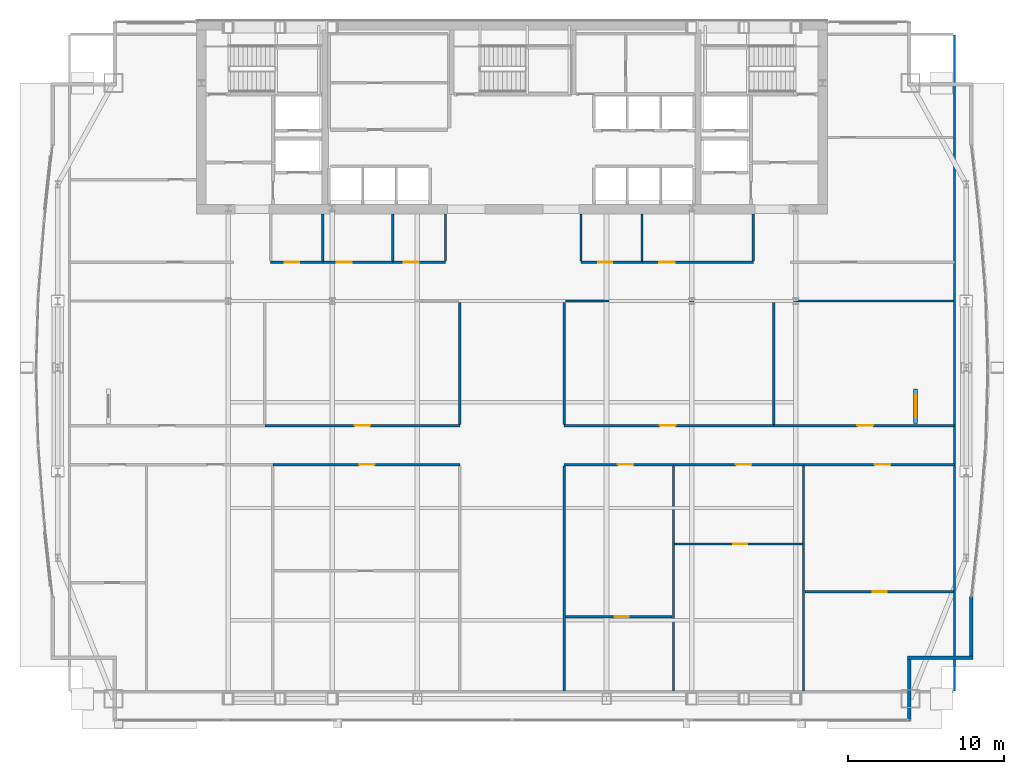
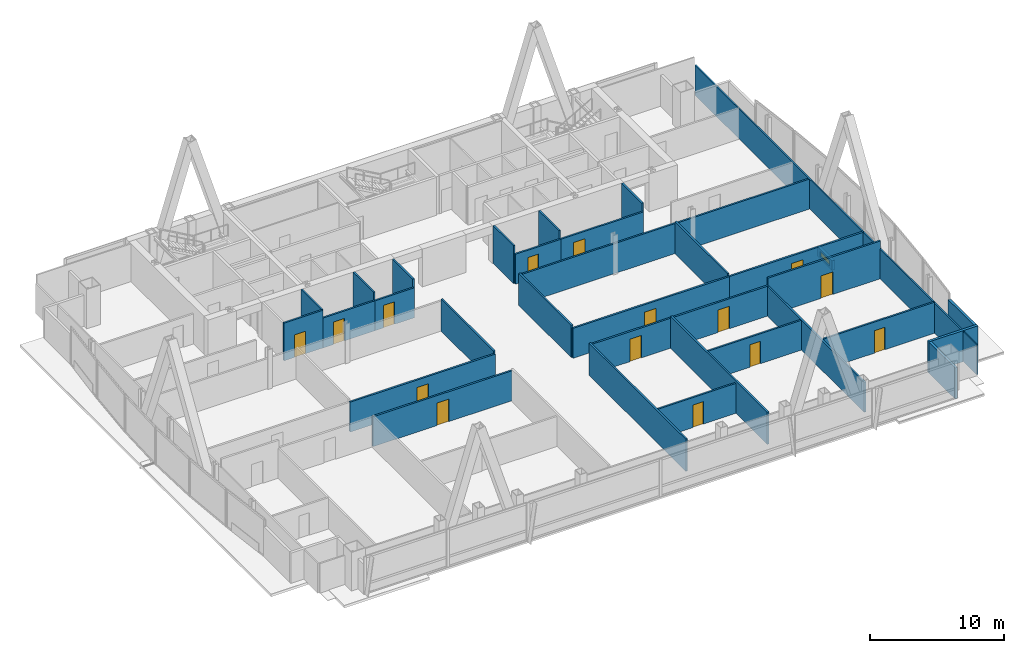
# One storey, part 27 of 32: 33 walls, 15 doors, 1 window, 16 openings.
"""IFC4 building model written with IfcOpenShell, lengths in metres."""

import ifcopenshell
import ifcopenshell.guid

model = None  # the IFC model being written
_history = None  # IfcOwnerHistory: only IFC2X3 demands one
_inside = {}  # id of a spatial element -> (the spatial element, [elements in it])
_under = {}  # id of a project, library or spatial element -> (it, [spatial elements below it])
_declared = {}  # id of a project -> (the project, [libraries it declares])
_typed = {}  # id of a type object -> (the type object, [elements of that type])
_made_of = {}  # id of a material, layer set ... -> (it, [elements and type objects made of it])


def new_model(schema):
    """Start an empty IFC model of exactly this schema.

    Asked for "IFC4X3", IfcOpenShell would pick the latest addendum, in which some entities
    have other attributes; the version numbers below select the first issue.
    IFC2X3 requires an IfcOwnerHistory on every rooted entity: one is made here for all.
    """
    global model, _history
    if schema == "IFC4X3":
        model = ifcopenshell.file(schema_version=(4, 3, 0, 0))
    else:
        model = ifcopenshell.file(schema=schema)
    _inside.clear()
    _under.clear()
    _declared.clear()
    _typed.clear()
    _made_of.clear()
    _history = None
    if model.schema == "IFC2X3":
        org = make("IfcOrganization", Name="unknown")
        user = make(
            "IfcPersonAndOrganization",
            ThePerson=make("IfcPerson", FamilyName="unknown"),
            TheOrganization=org,
        )
        app = make(
            "IfcApplication",
            ApplicationDeveloper=org,
            Version="unknown",
            ApplicationFullName="unknown",
            ApplicationIdentifier="unknown",
        )
        _history = make(
            "IfcOwnerHistory",
            OwningUser=user,
            OwningApplication=app,
            ChangeAction="ADDED",
            CreationDate=0,
        )
    return model


def make(cls, **values):
    """One entity of the class cls with the attributes given. An attribute that is None is left unset."""
    return model.create_entity(
        cls, **{name: value for name, value in values.items() if value is not None}
    )


def rooted(cls, **values):
    """An entity with a GlobalId (a new one), such as an element, a storey or a relation."""
    return make(cls, GlobalId=ifcopenshell.guid.new(), OwnerHistory=_history, **values)


def si_unit(unit_type, name, prefix=None):
    """IfcSIUnit, for example si_unit("LENGTHUNIT", "METRE", prefix="MILLI")."""
    return make("IfcSIUnit", UnitType=unit_type, Prefix=prefix, Name=name)


def assignment(units):
    """IfcUnitAssignment: the units of a project."""
    return None if units is None else make("IfcUnitAssignment", Units=units)


def point(xyz):
    """IfcCartesianPoint."""
    return None if xyz is None else make("IfcCartesianPoint", Coordinates=xyz)


def direction(xyz):
    """IfcDirection."""
    return None if xyz is None else make("IfcDirection", DirectionRatios=xyz)


def frame(location, z_axis=None, x_axis=None):
    """IfcAxis2Placement3D, a coordinate frame: its origin and axes. An axis left out is left unset."""
    return make(
        "IfcAxis2Placement3D",
        Location=point(location),
        Axis=direction(z_axis),
        RefDirection=direction(x_axis),
    )


def frame_2d(location, x_axis=None):
    """IfcAxis2Placement2D, a coordinate frame in the plane: its origin and x axis."""
    return make(
        "IfcAxis2Placement2D", Location=point(location), RefDirection=direction(x_axis)
    )


def origin():
    """The frame at (0, 0, 0) with its axes left unset."""
    return frame((0.0, 0.0, 0.0))


def place(relative_to, where):
    """IfcLocalPlacement: puts the frame where relative to a parent placement (None: the world)."""
    return make(
        "IfcLocalPlacement", PlacementRelTo=relative_to, RelativePlacement=where
    )


def context(
    kind, dimensions, precision=None, world=None, true_north=None, identifier=None
):
    """IfcGeometricRepresentationContext, for example the 3D "Model" context."""
    return make(
        "IfcGeometricRepresentationContext",
        ContextIdentifier=identifier,
        ContextType=kind,
        CoordinateSpaceDimension=dimensions,
        Precision=precision,
        WorldCoordinateSystem=world,
        TrueNorth=true_north,
    )


def subcontext(parent, identifier, kind, view, scale=None):
    """IfcGeometricRepresentationSubContext, for example "Body" below "Model"."""
    return make(
        "IfcGeometricRepresentationSubContext",
        ContextIdentifier=identifier,
        ContextType=kind,
        ParentContext=parent,
        TargetScale=scale,
        TargetView=view,
    )


def project(units=None, contexts=None):
    """IfcProject with its units and contexts."""
    return rooted(
        "IfcProject",
        Name="project",
        RepresentationContexts=contexts,
        UnitsInContext=assignment(units),
    )


def spatial(cls, under=None, at=None, **own):
    """A site, building, storey or space (cls), placed at a placement, below another one or the project."""
    s = rooted(cls, ObjectPlacement=at, **own)
    if under is not None:
        _under.setdefault(under.id(), (under, []))[1].append(s)
    return s


def profile(cls, at=None, kind="AREA", **sizes):
    """A parametric profile (cls). Its sizes go by their IFC names, for example OverallWidth=200.0."""
    return make(cls, ProfileType=kind, Position=at, **sizes)


def rectangle(**sizes):
    """IfcRectangleProfileDef."""
    return profile("IfcRectangleProfileDef", **sizes)


def extrude(swept, where, along, depth):
    """IfcExtrudedAreaSolid: the profile swept, set in the frame where, extruded along a direction by depth."""
    return make(
        "IfcExtrudedAreaSolid",
        SweptArea=swept,
        Position=where,
        ExtrudedDirection=direction(along),
        Depth=depth,
    )


def shape(context_of_items, identifier, shape_type, items):
    """IfcShapeRepresentation: the items that make up one representation, for example the "Body"."""
    return make(
        "IfcShapeRepresentation",
        ContextOfItems=context_of_items,
        RepresentationIdentifier=identifier,
        RepresentationType=shape_type,
        Items=items,
    )


def material(Name=None, Category=None):
    """IfcMaterial."""
    return make("IfcMaterial", Name=Name, Category=Category)


def layer(
    of_material, thickness, ventilated=None, Name=None, Category=None, Priority=None
):
    """IfcMaterialLayer: one layer of a wall or slab, of a material (None: an air gap)."""
    return make(
        "IfcMaterialLayer",
        Material=of_material,
        LayerThickness=thickness,
        IsVentilated=ventilated,
        Name=Name,
        Category=Category,
        Priority=Priority,
    )


def layer_set(layers, Name=None):
    """IfcMaterialLayerSet."""
    return make("IfcMaterialLayerSet", MaterialLayers=layers, LayerSetName=Name)


def made_of(thing, what):
    """Note that an element or type object is made of a material, layer set ...; save() writes the relation."""
    if what is not None:
        _made_of.setdefault(what.id(), (what, []))[1].append(thing)
    return thing


def type_object(cls, material=None, **own):
    """A type object (cls), such as IfcWallType, which elements share."""
    return made_of(rooted(cls, **own), material)


def element(
    cls,
    number,
    at=None,
    inside=None,
    cuts=None,
    type_object=None,
    material=None,
    context=None,
    identifier="Body",
    shape_type=None,
    held_by="IfcProductDefinitionShape",
    body=None,
    shapes=None,
    **own,
):
    """One element of the class cls, such as IfcWall. Its Tag is "e" and its number.

    at: its placement. inside: the storey or other place that contains it. cuts: it is an
    opening in that element (IfcRelVoidsElement). A single representation is given by context,
    identifier, shape_type and body (its items); several are given by shapes. held_by: the class
    of the entity that holds the representations. save() writes the other relations.
    """
    e = rooted(cls, Tag="e%d" % number, ObjectPlacement=at, **own)
    if body is not None:
        shapes = [shape(context, identifier, shape_type, body)]
    if shapes is not None:
        e.Representation = make(held_by, Representations=shapes)
    if inside is not None:
        _inside.setdefault(inside.id(), (inside, []))[1].append(e)
    if cuts is not None:
        rooted(
            "IfcRelVoidsElement", RelatingBuildingElement=cuts, RelatedOpeningElement=e
        )
    if type_object is not None:
        _typed.setdefault(type_object.id(), (type_object, []))[1].append(e)
    return made_of(e, material)


def fill(opening, filler):
    """IfcRelFillsElement: the door or window that sits in an opening."""
    return rooted(
        "IfcRelFillsElement",
        RelatingOpeningElement=opening,
        RelatedBuildingElement=filler,
    )


def aggregate(whole, parts):
    """IfcRelAggregates: a whole, such as a stair, and the parts it consists of."""
    return rooted("IfcRelAggregates", RelatingObject=whole, RelatedObjects=parts)


def save(model, path):
    """Write the relations noted so far, then the file.

    IfcRelAggregates (storeys below a building ...), IfcRelContainedInSpatialStructure (elements
    in a storey), IfcRelDefinesByType, IfcRelAssociatesMaterial and IfcRelDeclares: one each for
    every whole, place, type object, material and project.
    """
    for whole, parts in _under.values():
        aggregate(whole, parts)
    for where, things in _inside.values():
        rooted(
            "IfcRelContainedInSpatialStructure",
            RelatedElements=things,
            RelatingStructure=where,
        )
    for kind, things in _typed.values():
        rooted("IfcRelDefinesByType", RelatedObjects=things, RelatingType=kind)
    for what, things in _made_of.values():
        rooted("IfcRelAssociatesMaterial", RelatedObjects=things, RelatingMaterial=what)
    for by, libraries in _declared.values():
        rooted("IfcRelDeclares", RelatingContext=by, RelatedDefinitions=libraries)
    model.write(path)


model = new_model("IFC4")

# Units and contexts
model_context = context("Model", 3, precision=1e-05, world=origin(), true_north=direction((0.0, 1.0)))
body_context = subcontext(model_context, "Body", "Model", "MODEL_VIEW")
ifc_project = project(units=[si_unit("LENGTHUNIT", "METRE"), si_unit("AREAUNIT", "SQUARE_METRE"), si_unit("VOLUMEUNIT", "CUBIC_METRE"), si_unit("PLANEANGLEUNIT", "RADIAN"), si_unit("MASSUNIT", "GRAM", prefix="KILO")], contexts=[model_context])

# Site, building, storey
site_placement = place(None, origin())
site = spatial("IfcSite", under=ifc_project, at=site_placement, CompositionType="ELEMENT")
building_placement = place(site_placement, origin())
building = spatial("IfcBuilding", under=site, at=building_placement, Name="Khoronbel Lancet Exchange", CompositionType="ELEMENT")
storey_placement = place(building_placement, frame((0.0, 0.0, 188.60009765625)))
storey = spatial("IfcBuildingStorey", under=building, at=storey_placement, Name="L47", CompositionType="ELEMENT", Elevation=188.60009765625)

# Walls
ifc_material_1 = material(Name="Precast concrete C40/50", Category="concrete")
ifc_layer_1 = layer(ifc_material_1, 0.25, Name="Precast concrete C40/50")
ifc_layer_set_1 = layer_set([ifc_layer_1], Name="Precast concrete C40/50")
wall_type_1 = type_object("IfcWallType", Name="WL-EXT250", PredefinedType="SOLIDWALL", material=ifc_layer_set_1)
wall_1_placement = place(storey_placement, frame((65.9599609375, 16.724853515625, 0.0), z_axis=(0.0, 0.0, 1.0), x_axis=(0.0, -1.0, 0.0)))
element("IfcWall", 1, at=wall_1_placement, inside=storey, type_object=wall_type_1, Name="Level L47 notched-corner limestone pier 23", PredefinedType="SOLIDWALL", context=body_context, shape_type="SweptSolid", body=[
    extrude(rectangle(XDim=3.824951171875, YDim=0.219970703125, at=frame_2d((1.91259765625, 0.0))), origin(), (0.0, 0.0, 1.0), 2.829833984375),
])
wall_2_placement = place(storey_placement, frame((66.070068359375, 12.7900390625, 0.0), z_axis=(0.0, 0.0, 1.0), x_axis=(-1.0, 0.0, 0.0)))
element("IfcWall", 2, at=wall_2_placement, inside=storey, type_object=wall_type_1, Name="Level L47 notched-corner limestone pier 24", PredefinedType="SOLIDWALL", context=body_context, shape_type="SweptSolid", body=[
    extrude(rectangle(XDim=4.219970703125, YDim=0.219970703125, at=frame_2d((2.10986328125, 0.0))), origin(), (0.0, 0.0, 1.0), 2.829833984375),
])
wall_3_placement = place(storey_placement, frame((61.9599609375, 12.679931640625, 0.0), z_axis=(0.0, 0.0, 1.0), x_axis=(0.0, -1.0, 0.0)))
element("IfcWall", 3, at=wall_3_placement, inside=storey, type_object=wall_type_1, Name="Level L47 notched-corner limestone pier 25", PredefinedType="SOLIDWALL", context=body_context, shape_type="SweptSolid", body=[
    extrude(rectangle(XDim=3.909912109375, YDim=0.219970703125, at=frame_2d((1.955078125, 0.0))), origin(), (0.0, 0.0, 1.0), 2.829833984375),
])

# Wall, opening, window
ifc_material_2 = material(Name="Concrete C40/50", Category="concrete")
ifc_layer_2 = layer(ifc_material_2, 0.25, Name="Concrete C40/50")
ifc_layer_set_2 = layer_set([ifc_layer_2], Name="Concrete C40/50")
wall_type_2 = type_object("IfcWallType", Name="WL-PAR250", PredefinedType="PARAPET", material=ifc_layer_set_2)
wall_4_placement = place(storey_placement, frame((62.375, 27.85009765625, 0.0), z_axis=(0.0, 0.0, 1.0), x_axis=(0.0, 1.0, 0.0)))
wall_4 = element("IfcWall", 4, at=wall_4_placement, inside=storey, type_object=wall_type_2, Name="Level L47 setback roof slab 2 smoke-ventilation skylight lantern curb", PredefinedType="PARAPET", context=body_context, shape_type="SweptSolid", body=[
    extrude(rectangle(XDim=2.199951171875, YDim=0.25, at=frame_2d((1.10009765625, 0.0))), origin(), (0.0, 0.0, 1.0), 0.8798828125),
])
opening_1_placement = place(wall_4_placement, frame((0.39990234375, 0.0, 0.159912109375)))
opening_1 = element("IfcOpeningElement", 5, at=opening_1_placement, cuts=wall_4, Name="Opening SK2", PredefinedType="OPENING", context=body_context, shape_type="SweptSolid", body=[
    extrude(rectangle(XDim=1.39990234375, YDim=0.5, at=frame_2d((0.699951171875, 0.25))), frame((0.0, 0.135009765625, 0.0), z_axis=(0.0, -1.0, 0.0), x_axis=(1.0, 0.0, 0.0)), (0.0, 0.0, 1.0), 0.27001953125),
])
ifc_material_3 = material(Name="Low-E Solar Control Insulating Glass", Category="glass")
window_type = type_object("IfcWindowType", Name="WIN-SK2", PartitioningType="SINGLE_PANEL", PredefinedType="SKYLIGHT", material=ifc_material_3)
window_placement = place(opening_1_placement, origin())
window = element("IfcWindow", 6, at=window_placement, inside=storey, type_object=window_type, Name="Level L47 setback roof slab 2 smoke-ventilation clerestory skylight", OverallHeight=0.5, OverallWidth=1.39990234375, PartitioningType="SINGLE_PANEL", PredefinedType="SKYLIGHT", context=body_context, shape_type="SweptSolid", body=[
    extrude(rectangle(XDim=1.39990234375, YDim=0.5, at=frame_2d((0.699951171875, 0.25))), frame((0.0, 0.030029296875, 0.0), z_axis=(0.0, -1.0, 0.0), x_axis=(1.0, 0.0, 0.0)), (0.0, 0.0, 1.0), 0.06005859375),
])
fill(opening_1, window)

# Walls
ifc_material_4 = material(Name="Acoustic Metal-Stud & Mineral-Wool Gypsum Partition 120 mm", Category="gypsum")
ifc_layer_3 = layer(ifc_material_4, 0.1201171875, Name="Acoustic Metal-Stud & Mineral-Wool Gypsum Partition 120 mm")
ifc_layer_set_3 = layer_set([ifc_layer_3], Name="Acoustic Metal-Stud & Mineral-Wool Gypsum Partition 120 mm")
wall_type_3 = type_object("IfcWallType", Name="WL-PRT120", PredefinedType="PARTITIONING", material=ifc_layer_set_3)
for number, where, z_axis, x_axis, name in (
    (7, (24.300048828125, 38.280029296875, 0.0), (0.0, 0.0, 1.0), (0.0, 1.0, 0.0), "Level L47 interior partition PW-WC-1"),
    (8, (28.800048828125, 38.280029296875, 0.0), (0.0, 0.0, 1.0), (0.0, 1.0, 0.0), "Level L47 interior partition PW-WC-2"),
    (9, (32.179931640625, 38.280029296875, 0.0), (0.0, 0.0, 1.0), (0.0, 1.0, 0.0), "Level L47 interior partition PW-WC-3"),
    (10, (40.8798828125, 38.280029296875, 0.0), (0.0, 0.0, 1.0), (0.0, 1.0, 0.0), "Level L47 interior partition PW-NP-0"),
    (11, (44.800048828125, 38.280029296875, 0.0), (0.0, 0.0, 1.0), (0.0, 1.0, 0.0), "Level L47 interior partition PW-NP-M"),
    (12, (51.949951171875, 38.280029296875, 0.0), (0.0, 0.0, 1.0), (0.0, 1.0, 0.0), "Level L47 interior partition PW-NP-1"),
):
    element("IfcWall", number, at=place(storey_placement, frame(where, z_axis=z_axis, x_axis=x_axis)), inside=storey, type_object=wall_type_3, Name=name, PredefinedType="PARTITIONING", context=body_context, shape_type="SweptSolid", body=[
        extrude(rectangle(XDim=3.02001953125, YDim=0.14990234375, at=frame_2d((1.510009765625, 0.0))), origin(), (0.0, 0.0, 1.0), 3.43994140625),
    ])

# Wall, opening, door
wall_5_placement = place(storey_placement, frame((39.8798828125, 15.41796875, 0.0), z_axis=(0.0, 0.0, 1.0), x_axis=(1.0, 0.0, 0.0)))
wall_5 = element("IfcWall", 13, at=wall_5_placement, inside=storey, type_object=wall_type_3, Name="Level L47 interior partition PW-Z3SE-H1", PredefinedType="PARTITIONING", context=body_context, shape_type="SweptSolid", body=[
    extrude(rectangle(XDim=6.859619140625, YDim=0.14990234375, at=frame_2d((3.4296875, 0.0))), origin(), (0.0, 0.0, 1.0), 2.72998046875),
])
opening_2_placement = place(wall_5_placement, frame((3.15869140625, 0.0, 0.0)))
opening_2 = element("IfcOpeningElement", 14, at=opening_2_placement, cuts=wall_5, Name="Opening D5", PredefinedType="OPENING", context=body_context, shape_type="SweptSolid", body=[
    extrude(rectangle(XDim=0.89990234375, YDim=2.050048828125, at=frame_2d((0.449951171875, 1.02490234375))), frame((0.0, 0.0849609375, 0.0), z_axis=(0.0, -1.0, 0.0), x_axis=(1.0, 0.0, 0.0)), (0.0, 0.0, 1.0), 0.169921875),
])
ifc_material_5 = material(Name="Acoustic Timber Pantry & Support Door", Category="wood")
door_type_1 = type_object("IfcDoorType", Name="DR-D5", OperationType="NOTDEFINED", PredefinedType="DOOR", material=ifc_material_5)
door_1_placement = place(opening_2_placement, origin())
door_1 = element("IfcDoor", 15, at=door_1_placement, inside=storey, type_object=door_type_1, Name="Z3SE inner door 1 L47-1", OperationType="SINGLE_SWING_RIGHT", OverallHeight=2.050048828125, OverallWidth=0.89990234375, PredefinedType="DOOR", context=body_context, shape_type="SweptSolid", body=[
    extrude(rectangle(XDim=0.89990234375, YDim=2.050048828125, at=frame_2d((0.449951171875, 1.02490234375))), frame((0.0, 0.02490234375, 0.0), z_axis=(0.0, -1.0, 0.0), x_axis=(1.0, 0.0, 0.0)), (0.0, 0.0, 1.0), 0.050048828125),
])
fill(opening_2, door_1)

wall_6_placement = place(storey_placement, frame((46.899658203125, 20.090087890625, 0.0), z_axis=(0.0, 0.0, 1.0), x_axis=(1.0, 0.0, 0.0)))
wall_6 = element("IfcWall", 16, at=wall_6_placement, inside=storey, type_object=wall_type_3, Name="Level L47 interior partition PW-Z3SE-H2", PredefinedType="PARTITIONING", context=body_context, shape_type="SweptSolid", body=[
    extrude(rectangle(XDim=8.196533203125, YDim=0.14990234375, at=frame_2d((4.09814453125, 0.0))), origin(), (0.0, 0.0, 1.0), 2.72998046875),
])
opening_3_placement = place(wall_6_placement, frame((3.760498046875, 0.0, 0.0)))
opening_3 = element("IfcOpeningElement", 17, at=opening_3_placement, cuts=wall_6, Name="Opening D5", PredefinedType="OPENING", context=body_context, shape_type="SweptSolid", body=[
    extrude(rectangle(XDim=0.89990234375, YDim=2.050048828125, at=frame_2d((0.449951171875, 1.02490234375))), frame((0.0, 0.0849609375, 0.0), z_axis=(0.0, -1.0, 0.0), x_axis=(1.0, 0.0, 0.0)), (0.0, 0.0, 1.0), 0.169921875),
])
door_2_placement = place(opening_3_placement, origin())
door_2 = element("IfcDoor", 18, at=door_2_placement, inside=storey, type_object=door_type_1, Name="Z3SE inner door 2 L47-1", OperationType="SINGLE_SWING_RIGHT", OverallHeight=2.050048828125, OverallWidth=0.89990234375, PredefinedType="DOOR", context=body_context, shape_type="SweptSolid", body=[
    extrude(rectangle(XDim=0.89990234375, YDim=2.050048828125, at=frame_2d((0.449951171875, 1.02490234375))), frame((0.0, 0.02490234375, 0.0), z_axis=(0.0, -1.0, 0.0), x_axis=(1.0, 0.0, 0.0)), (0.0, 0.0, 1.0), 0.050048828125),
])
fill(opening_3, door_2)

wall_7_placement = place(storey_placement, frame((55.25634765625, 17.02392578125, 0.0), z_axis=(0.0, 0.0, 1.0), x_axis=(1.0, 0.0, 0.0)))
wall_7 = element("IfcWall", 19, at=wall_7_placement, inside=storey, type_object=wall_type_3, Name="Level L47 interior partition PW-Z3SE-H3", PredefinedType="PARTITIONING", context=body_context, shape_type="SweptSolid", body=[
    extrude(rectangle(XDim=9.548583984375, YDim=0.14990234375, at=frame_2d((4.7744140625, 0.0))), origin(), (0.0, 0.0, 1.0), 2.829833984375),
])
opening_4_placement = place(wall_7_placement, frame((4.3623046875, 0.0, 0.0)))
opening_4 = element("IfcOpeningElement", 20, at=opening_4_placement, cuts=wall_7, Name="Opening D5", PredefinedType="OPENING", context=body_context, shape_type="SweptSolid", body=[
    extrude(rectangle(XDim=0.89990234375, YDim=2.050048828125, at=frame_2d((0.449951171875, 1.02490234375))), frame((0.0, 0.0849609375, 0.0), z_axis=(0.0, -1.0, 0.0), x_axis=(1.0, 0.0, 0.0)), (0.0, 0.0, 1.0), 0.169921875),
])
door_3_placement = place(opening_4_placement, origin())
door_3 = element("IfcDoor", 21, at=door_3_placement, inside=storey, type_object=door_type_1, Name="Z3SE inner door 3 L47-1", OperationType="SINGLE_SWING_RIGHT", OverallHeight=2.050048828125, OverallWidth=0.89990234375, PredefinedType="DOOR", context=body_context, shape_type="SweptSolid", body=[
    extrude(rectangle(XDim=0.89990234375, YDim=2.050048828125, at=frame_2d((0.449951171875, 1.02490234375))), frame((0.0, 0.02490234375, 0.0), z_axis=(0.0, -1.0, 0.0), x_axis=(1.0, 0.0, 0.0)), (0.0, 0.0, 1.0), 0.050048828125),
])
fill(opening_4, door_3)

# Wall
wall_8_placement = place(storey_placement, frame((64.8701171875, 10.6650390625, 0.0), z_axis=(0.0, 0.0, 1.0), x_axis=(0.0, 1.0, 0.0)))
element("IfcWall", 22, at=wall_8_placement, inside=storey, type_object=wall_type_3, Name="Level L47 interior partition PW-LIN-E", PredefinedType="PARTITIONING", context=body_context, shape_type="SweptSolid", body=[
    extrude(rectangle(XDim=42.10986328125, YDim=0.1201171875, at=frame_2d((21.054931640625, 0.0))), origin(), (0.0, 0.0, 1.0), 2.72998046875),
])

# Wall, opening, door
ifc_material_6 = material(Name="Fire-Rated Twin-Stud Acoustic Gypsum Partition 150 mm", Category="gypsum")
ifc_layer_4 = layer(ifc_material_6, 0.14990234375, Name="Fire-Rated Twin-Stud Acoustic Gypsum Partition 150 mm")
ifc_layer_set_4 = layer_set([ifc_layer_4], Name="Fire-Rated Twin-Stud Acoustic Gypsum Partition 150 mm")
wall_type_4 = type_object("IfcWallType", Name="WL-PRT150C", PredefinedType="PARTITIONING", material=ifc_layer_set_4)
wall_9_placement = place(storey_placement, frame((20.949951171875, 38.199951171875, 0.0), z_axis=(0.0, 0.0, 1.0), x_axis=(1.0, 0.0, 0.0)))
wall_9 = element("IfcWall", 23, at=wall_9_placement, inside=storey, type_object=wall_type_4, Name="Level L47 interior partition PW-WC-S1", PredefinedType="PARTITIONING", context=body_context, shape_type="SweptSolid", body=[
    extrude(rectangle(XDim=3.35009765625, YDim=0.14990234375, at=frame_2d((1.675048828125, 0.0))), origin(), (0.0, 0.0, 1.0), 3.43994140625),
])
opening_5_placement = place(wall_9_placement, frame((0.89990234375, 0.0, 0.0)))
opening_5 = element("IfcOpeningElement", 24, at=opening_5_placement, cuts=wall_9, Name="Opening D4", PredefinedType="OPENING", context=body_context, shape_type="SweptSolid", body=[
    extrude(rectangle(XDim=0.949951171875, YDim=2.050048828125, at=frame_2d((0.47509765625, 1.02490234375))), frame((0.0, 0.0849609375, 0.0), z_axis=(0.0, -1.0, 0.0), x_axis=(1.0, 0.0, 0.0)), (0.0, 0.0, 1.0), 0.169921875),
])
ifc_material_7 = material(Name="Moisture-Resistant HPL Washroom Door", Category="wood")
door_type_2 = type_object("IfcDoorType", Name="DR-D4", OperationType="NOTDEFINED", PredefinedType="DOOR", material=ifc_material_7)
door_4_placement = place(opening_5_placement, origin())
door_4 = element("IfcDoor", 25, at=door_4_placement, inside=storey, type_object=door_type_2, Name="Male washroom door L47-1", OperationType="SINGLE_SWING_LEFT", OverallHeight=2.050048828125, OverallWidth=0.949951171875, PredefinedType="DOOR", context=body_context, shape_type="SweptSolid", body=[
    extrude(rectangle(XDim=0.949951171875, YDim=2.050048828125, at=frame_2d((0.47509765625, 1.02490234375))), frame((0.0, 0.02490234375, 0.0), z_axis=(0.0, -1.0, 0.0), x_axis=(1.0, 0.0, 0.0)), (0.0, 0.0, 1.0), 0.050048828125),
])
fill(opening_5, door_4)

wall_10_placement = place(storey_placement, frame((24.300048828125, 38.199951171875, 0.0), z_axis=(0.0, 0.0, 1.0), x_axis=(1.0, 0.0, 0.0)))
wall_10 = element("IfcWall", 26, at=wall_10_placement, inside=storey, type_object=wall_type_4, Name="Level L47 interior partition PW-WC-S2", PredefinedType="PARTITIONING", context=body_context, shape_type="SweptSolid", body=[
    extrude(rectangle(XDim=4.5, YDim=0.14990234375, at=frame_2d((2.25, 0.0))), origin(), (0.0, 0.0, 1.0), 2.72998046875),
])
opening_6_placement = place(wall_10_placement, frame((0.89990234375, 0.0, 0.0)))
opening_6 = element("IfcOpeningElement", 27, at=opening_6_placement, cuts=wall_10, Name="Opening D4", PredefinedType="OPENING", context=body_context, shape_type="SweptSolid", body=[
    extrude(rectangle(XDim=0.949951171875, YDim=2.050048828125, at=frame_2d((0.47509765625, 1.02490234375))), frame((0.0, 0.0849609375, 0.0), z_axis=(0.0, -1.0, 0.0), x_axis=(1.0, 0.0, 0.0)), (0.0, 0.0, 1.0), 0.169921875),
])
door_5_placement = place(opening_6_placement, origin())
door_5 = element("IfcDoor", 28, at=door_5_placement, inside=storey, type_object=door_type_2, Name="Female washroom door L47-1", OperationType="SINGLE_SWING_RIGHT", OverallHeight=2.050048828125, OverallWidth=0.949951171875, PredefinedType="DOOR", context=body_context, shape_type="SweptSolid", body=[
    extrude(rectangle(XDim=0.949951171875, YDim=2.050048828125, at=frame_2d((0.47509765625, 1.02490234375))), frame((0.0, 0.02490234375, 0.0), z_axis=(0.0, -1.0, 0.0), x_axis=(1.0, 0.0, 0.0)), (0.0, 0.0, 1.0), 0.050048828125),
])
fill(opening_6, door_5)

wall_11_placement = place(storey_placement, frame((28.800048828125, 38.199951171875, 0.0), z_axis=(0.0, 0.0, 1.0), x_axis=(1.0, 0.0, 0.0)))
wall_11 = element("IfcWall", 29, at=wall_11_placement, inside=storey, type_object=wall_type_4, Name="Level L47 interior partition PW-WC-S3", PredefinedType="PARTITIONING", context=body_context, shape_type="SweptSolid", body=[
    extrude(rectangle(XDim=3.3798828125, YDim=0.14990234375, at=frame_2d((1.68994140625, 0.0))), origin(), (0.0, 0.0, 1.0), 2.72998046875),
])
opening_7_placement = place(wall_11_placement, frame((0.699951171875, 0.0, 0.0)))
opening_7 = element("IfcOpeningElement", 30, at=opening_7_placement, cuts=wall_11, Name="Opening D4", PredefinedType="OPENING", context=body_context, shape_type="SweptSolid", body=[
    extrude(rectangle(XDim=0.949951171875, YDim=2.050048828125, at=frame_2d((0.47509765625, 1.02490234375))), frame((0.0, 0.0849609375, 0.0), z_axis=(0.0, -1.0, 0.0), x_axis=(1.0, 0.0, 0.0)), (0.0, 0.0, 1.0), 0.169921875),
])
door_6_placement = place(opening_7_placement, origin())
door_6 = element("IfcDoor", 31, at=door_6_placement, inside=storey, type_object=door_type_2, Name="Accessible WC door L47-1", OperationType="SINGLE_SWING_LEFT", OverallHeight=2.050048828125, OverallWidth=0.949951171875, PredefinedType="DOOR", context=body_context, shape_type="SweptSolid", body=[
    extrude(rectangle(XDim=0.949951171875, YDim=2.050048828125, at=frame_2d((0.47509765625, 1.02490234375))), frame((0.0, 0.02490234375, 0.0), z_axis=(0.0, -1.0, 0.0), x_axis=(1.0, 0.0, 0.0)), (0.0, 0.0, 1.0), 0.050048828125),
])
fill(opening_7, door_6)

wall_12_placement = place(storey_placement, frame((40.8798828125, 38.199951171875, 0.0), z_axis=(0.0, 0.0, 1.0), x_axis=(1.0, 0.0, 0.0)))
wall_12 = element("IfcWall", 32, at=wall_12_placement, inside=storey, type_object=wall_type_4, Name="Level L47 interior partition PW-NP-S1", PredefinedType="PARTITIONING", context=body_context, shape_type="SweptSolid", body=[
    extrude(rectangle(XDim=3.920166015625, YDim=0.14990234375, at=frame_2d((1.9599609375, 0.0))), origin(), (0.0, 0.0, 1.0), 2.72998046875),
])
opening_8_placement = place(wall_12_placement, frame((1.10009765625, 0.0, 0.0)))
opening_8 = element("IfcOpeningElement", 33, at=opening_8_placement, cuts=wall_12, Name="Opening D5", PredefinedType="OPENING", context=body_context, shape_type="SweptSolid", body=[
    extrude(rectangle(XDim=0.89990234375, YDim=2.050048828125, at=frame_2d((0.449951171875, 1.02490234375))), frame((0.0, 0.0849609375, 0.0), z_axis=(0.0, -1.0, 0.0), x_axis=(1.0, 0.0, 0.0)), (0.0, 0.0, 1.0), 0.169921875),
])
door_7_placement = place(opening_8_placement, origin())
door_7 = element("IfcDoor", 34, at=door_7_placement, inside=storey, type_object=door_type_1, Name="Floor refreshment pantry door L47-1", OperationType="SINGLE_SWING_RIGHT", OverallHeight=2.050048828125, OverallWidth=0.89990234375, PredefinedType="DOOR", context=body_context, shape_type="SweptSolid", body=[
    extrude(rectangle(XDim=0.89990234375, YDim=2.050048828125, at=frame_2d((0.449951171875, 1.02490234375))), frame((0.0, 0.02490234375, 0.0), z_axis=(0.0, -1.0, 0.0), x_axis=(1.0, 0.0, 0.0)), (0.0, 0.0, 1.0), 0.050048828125),
])
fill(opening_8, door_7)

wall_13_placement = place(storey_placement, frame((44.800048828125, 38.199951171875, 0.0), z_axis=(0.0, 0.0, 1.0), x_axis=(1.0, 0.0, 0.0)))
wall_13 = element("IfcWall", 35, at=wall_13_placement, inside=storey, type_object=wall_type_4, Name="Level L47 interior partition PW-NP-S2", PredefinedType="PARTITIONING", context=body_context, shape_type="SweptSolid", body=[
    extrude(rectangle(XDim=7.14990234375, YDim=0.14990234375, at=frame_2d((3.574951171875, 0.0))), origin(), (0.0, 0.0, 1.0), 2.72998046875),
])
opening_9_placement = place(wall_13_placement, frame((1.10009765625, 0.0, 0.0)))
opening_9 = element("IfcOpeningElement", 36, at=opening_9_placement, cuts=wall_13, Name="Opening D2", PredefinedType="OPENING", context=body_context, shape_type="SweptSolid", body=[
    extrude(rectangle(XDim=1.0, YDim=2.050048828125, at=frame_2d((0.5, 1.02490234375))), frame((0.0, 0.0849609375, 0.0), z_axis=(0.0, -1.0, 0.0), x_axis=(1.0, 0.0, 0.0)), (0.0, 0.0, 1.0), 0.169921875),
])
ifc_material_8 = material(Name="Acoustic Veneered Timber & Bronze Frame Door", Category="wood")
door_type_3 = type_object("IfcDoorType", Name="DR-D2", OperationType="NOTDEFINED", PredefinedType="DOOR", material=ifc_material_8)
door_8_placement = place(opening_9_placement, origin())
door_8 = element("IfcDoor", 37, at=door_8_placement, inside=storey, type_object=door_type_3, Name="Floor store door L47-1", OperationType="SINGLE_SWING_LEFT", OverallHeight=2.050048828125, OverallWidth=1.0, PredefinedType="DOOR", context=body_context, shape_type="SweptSolid", body=[
    extrude(rectangle(XDim=1.0, YDim=2.050048828125, at=frame_2d((0.5, 1.02490234375))), frame((0.0, 0.02490234375, 0.0), z_axis=(0.0, -1.0, 0.0), x_axis=(1.0, 0.0, 0.0)), (0.0, 0.0, 1.0), 0.050048828125),
])
fill(opening_9, door_8)

# Walls
wall_14_placement = place(storey_placement, frame((39.800048828125, 10.6650390625, 0.0), z_axis=(0.0, 0.0, 1.0), x_axis=(0.0, 1.0, 0.0)))
element("IfcWall", 38, at=wall_14_placement, inside=storey, type_object=wall_type_4, Name="Level L47 interior partition PW-Z3-CE1", PredefinedType="PARTITIONING", context=body_context, shape_type="SweptSolid", body=[
    extrude(rectangle(XDim=14.449951171875, YDim=0.14990234375, at=frame_2d((7.22509765625, 0.0))), origin(), (0.0, 0.0, 1.0), 2.929931640625),
])
for number, where, z_axis, x_axis, name in (
    (39, (33.10009765625, 27.784912109375, 0.0), (0.0, 0.0, 1.0), (0.0, 1.0, 0.0), "Level L47 interior partition PW-Z3-CW2"),
    (40, (39.800048828125, 27.784912109375, 0.0), (0.0, 0.0, 1.0), (0.0, 1.0, 0.0), "Level L47 interior partition PW-Z3-CE2"),
):
    element("IfcWall", number, at=place(storey_placement, frame(where, z_axis=z_axis, x_axis=x_axis)), inside=storey, type_object=wall_type_4, Name=name, PredefinedType="PARTITIONING", context=body_context, shape_type="SweptSolid", body=[
        extrude(rectangle(XDim=7.835205078125, YDim=0.14990234375, at=frame_2d((3.91748046875, 0.0))), origin(), (0.0, 0.0, 1.0), 2.929931640625),
    ])
wall_15_placement = place(storey_placement, frame((39.8798828125, 35.699951171875, 0.0), z_axis=(0.0, 0.0, 1.0), x_axis=(1.0, 0.0, 0.0)))
element("IfcWall", 41, at=wall_15_placement, inside=storey, type_object=wall_type_4, Name="Level L47 interior partition PW-Z3-EN", PredefinedType="PARTITIONING", context=body_context, shape_type="SweptSolid", body=[
    extrude(rectangle(XDim=24.925048828125, YDim=0.14990234375, at=frame_2d((12.46240234375, 0.0))), origin(), (0.0, 0.0, 1.0), 2.72998046875),
])
wall_16_placement = place(storey_placement, frame((46.819580078125, 10.6650390625, 0.0), z_axis=(0.0, 0.0, 1.0), x_axis=(0.0, 1.0, 0.0)))
element("IfcWall", 42, at=wall_16_placement, inside=storey, type_object=wall_type_4, Name="Level L47 interior partition PW-Z3SE-V1", PredefinedType="PARTITIONING", context=body_context, shape_type="SweptSolid", body=[
    extrude(rectangle(XDim=14.449951171875, YDim=0.14990234375, at=frame_2d((7.22509765625, 0.0))), origin(), (0.0, 0.0, 1.0), 2.929931640625),
])
wall_17_placement = place(storey_placement, frame((55.17626953125, 10.6650390625, 0.0), z_axis=(0.0, 0.0, 1.0), x_axis=(0.0, 1.0, 0.0)))
element("IfcWall", 43, at=wall_17_placement, inside=storey, type_object=wall_type_4, Name="Level L47 interior partition PW-Z3SE-V2", PredefinedType="PARTITIONING", context=body_context, shape_type="SweptSolid", body=[
    extrude(rectangle(XDim=14.449951171875, YDim=0.14990234375, at=frame_2d((7.22509765625, 0.0))), origin(), (0.0, 0.0, 1.0), 2.72998046875),
])
wall_18_placement = place(storey_placement, frame((53.263427734375, 27.784912109375, 0.0), z_axis=(0.0, 0.0, 1.0), x_axis=(0.0, 1.0, 0.0)))
element("IfcWall", 44, at=wall_18_placement, inside=storey, type_object=wall_type_4, Name="Level L47 interior partition PW-Z3NE-V1", PredefinedType="PARTITIONING", context=body_context, shape_type="SweptSolid", body=[
    extrude(rectangle(XDim=7.835205078125, YDim=0.14990234375, at=frame_2d((3.91748046875, 0.0))), origin(), (0.0, 0.0, 1.0), 2.929931640625),
])

# Wall, opening, door
ifc_material_9 = material(Name="Fire-Rated Twin-Stud Acoustic Gypsum Partition 160 mm", Category="gypsum")
ifc_layer_5 = layer(ifc_material_9, 0.159912109375, Name="Fire-Rated Twin-Stud Acoustic Gypsum Partition 160 mm")
ifc_layer_set_5 = layer_set([ifc_layer_5], Name="Fire-Rated Twin-Stud Acoustic Gypsum Partition 160 mm")
wall_type_5 = type_object("IfcWallType", Name="WL-PRT160C", PredefinedType="PARTITIONING", material=ifc_layer_set_5)
wall_19_placement = place(storey_placement, frame((21.08837890625, 25.199951171875, 0.0), z_axis=(0.0, 0.0, 1.0), x_axis=(1.0, 0.0, 0.0)))
wall_19 = element("IfcWall", 45, at=wall_19_placement, inside=storey, type_object=wall_type_5, Name="Level L47 interior partition PW-Z3SW-COR3", PredefinedType="PARTITIONING", context=body_context, shape_type="SweptSolid", body=[
    extrude(rectangle(XDim=12.01171875, YDim=0.159912109375, at=frame_2d((6.005859375, 0.0))), origin(), (0.0, 0.0, 1.0), 2.72998046875),
])
opening_10_placement = place(wall_19_placement, frame((5.544921875, 0.0, 0.0)))
opening_10 = element("IfcOpeningElement", 46, at=opening_10_placement, cuts=wall_19, Name="Opening D2", PredefinedType="OPENING", context=body_context, shape_type="SweptSolid", body=[
    extrude(rectangle(XDim=1.0, YDim=2.050048828125, at=frame_2d((0.5, 1.02490234375))), frame((0.0, 0.08984375, 0.0), z_axis=(0.0, -1.0, 0.0), x_axis=(1.0, 0.0, 0.0)), (0.0, 0.0, 1.0), 0.179931640625),
])
door_9_placement = place(opening_10_placement, origin())
door_9 = element("IfcDoor", 47, at=door_9_placement, inside=storey, type_object=door_type_3, Name="Z3SW bay 3 door L47-1", OperationType="SINGLE_SWING_LEFT", OverallHeight=2.050048828125, OverallWidth=1.0, PredefinedType="DOOR", context=body_context, shape_type="SweptSolid", body=[
    extrude(rectangle(XDim=1.0, YDim=2.050048828125, at=frame_2d((0.5, 1.02490234375))), frame((0.0, 0.02490234375, 0.0), z_axis=(0.0, -1.0, 0.0), x_axis=(1.0, 0.0, 0.0)), (0.0, 0.0, 1.0), 0.050048828125),
])
fill(opening_10, door_9)

wall_20_placement = place(storey_placement, frame((39.800048828125, 25.199951171875, 0.0), z_axis=(0.0, 0.0, 1.0), x_axis=(1.0, 0.0, 0.0)))
wall_20 = element("IfcWall", 48, at=wall_20_placement, inside=storey, type_object=wall_type_5, Name="Level L47 interior partition PW-Z3SE-COR1", PredefinedType="PARTITIONING", context=body_context, shape_type="SweptSolid", body=[
    extrude(rectangle(XDim=7.01953125, YDim=0.159912109375, at=frame_2d((3.509765625, 0.0))), origin(), (0.0, 0.0, 1.0), 2.72998046875),
])
opening_11_placement = place(wall_20_placement, frame((3.4482421875, 0.0, 0.0)))
opening_11 = element("IfcOpeningElement", 49, at=opening_11_placement, cuts=wall_20, Name="Opening D2", PredefinedType="OPENING", context=body_context, shape_type="SweptSolid", body=[
    extrude(rectangle(XDim=1.0, YDim=2.050048828125, at=frame_2d((0.5, 1.02490234375))), frame((0.0, 0.08984375, 0.0), z_axis=(0.0, -1.0, 0.0), x_axis=(1.0, 0.0, 0.0)), (0.0, 0.0, 1.0), 0.179931640625),
])
door_10_placement = place(opening_11_placement, origin())
door_10 = element("IfcDoor", 50, at=door_10_placement, inside=storey, type_object=door_type_3, Name="Z3SE bay 1 door L47-1", OperationType="SINGLE_SWING_LEFT", OverallHeight=2.050048828125, OverallWidth=1.0, PredefinedType="DOOR", context=body_context, shape_type="SweptSolid", body=[
    extrude(rectangle(XDim=1.0, YDim=2.050048828125, at=frame_2d((0.5, 1.02490234375))), frame((0.0, 0.02490234375, 0.0), z_axis=(0.0, -1.0, 0.0), x_axis=(1.0, 0.0, 0.0)), (0.0, 0.0, 1.0), 0.050048828125),
])
fill(opening_11, door_10)

wall_21_placement = place(storey_placement, frame((46.819580078125, 25.199951171875, 0.0), z_axis=(0.0, 0.0, 1.0), x_axis=(1.0, 0.0, 0.0)))
wall_21 = element("IfcWall", 51, at=wall_21_placement, inside=storey, type_object=wall_type_5, Name="Level L47 interior partition PW-Z3SE-COR2", PredefinedType="PARTITIONING", context=body_context, shape_type="SweptSolid", body=[
    extrude(rectangle(XDim=8.356689453125, YDim=0.159912109375, at=frame_2d((4.17822265625, 0.0))), origin(), (0.0, 0.0, 1.0), 2.72998046875),
])
opening_12_placement = place(wall_21_placement, frame((4.009765625, 0.0, 0.0)))
opening_12 = element("IfcOpeningElement", 52, at=opening_12_placement, cuts=wall_21, Name="Opening D2", PredefinedType="OPENING", context=body_context, shape_type="SweptSolid", body=[
    extrude(rectangle(XDim=1.0, YDim=2.050048828125, at=frame_2d((0.5, 1.02490234375))), frame((0.0, 0.08984375, 0.0), z_axis=(0.0, -1.0, 0.0), x_axis=(1.0, 0.0, 0.0)), (0.0, 0.0, 1.0), 0.179931640625),
])
door_11_placement = place(opening_12_placement, origin())
door_11 = element("IfcDoor", 53, at=door_11_placement, inside=storey, type_object=door_type_3, Name="Z3SE bay 2 door L47-1", OperationType="SINGLE_SWING_LEFT", OverallHeight=2.050048828125, OverallWidth=1.0, PredefinedType="DOOR", context=body_context, shape_type="SweptSolid", body=[
    extrude(rectangle(XDim=1.0, YDim=2.050048828125, at=frame_2d((0.5, 1.02490234375))), frame((0.0, 0.02490234375, 0.0), z_axis=(0.0, -1.0, 0.0), x_axis=(1.0, 0.0, 0.0)), (0.0, 0.0, 1.0), 0.050048828125),
])
fill(opening_12, door_11)

wall_22_placement = place(storey_placement, frame((55.17626953125, 25.199951171875, 0.0), z_axis=(0.0, 0.0, 1.0), x_axis=(1.0, 0.0, 0.0)))
wall_22 = element("IfcWall", 54, at=wall_22_placement, inside=storey, type_object=wall_type_5, Name="Level L47 interior partition PW-Z3SE-COR3", PredefinedType="PARTITIONING", context=body_context, shape_type="SweptSolid", body=[
    extrude(rectangle(XDim=9.69384765625, YDim=0.159912109375, at=frame_2d((4.846923828125, 0.0))), origin(), (0.0, 0.0, 1.0), 3.43994140625),
])
opening_13_placement = place(wall_22_placement, frame((4.5712890625, 0.0, 0.0)))
opening_13 = element("IfcOpeningElement", 55, at=opening_13_placement, cuts=wall_22, Name="Opening D2", PredefinedType="OPENING", context=body_context, shape_type="SweptSolid", body=[
    extrude(rectangle(XDim=1.0, YDim=2.050048828125, at=frame_2d((0.5, 1.02490234375))), frame((0.0, 0.08984375, 0.0), z_axis=(0.0, -1.0, 0.0), x_axis=(1.0, 0.0, 0.0)), (0.0, 0.0, 1.0), 0.179931640625),
])
door_12_placement = place(opening_13_placement, origin())
door_12 = element("IfcDoor", 56, at=door_12_placement, inside=storey, type_object=door_type_3, Name="Z3SE bay 3 door L47-1", OperationType="SINGLE_SWING_LEFT", OverallHeight=2.050048828125, OverallWidth=1.0, PredefinedType="DOOR", context=body_context, shape_type="SweptSolid", body=[
    extrude(rectangle(XDim=1.0, YDim=2.050048828125, at=frame_2d((0.5, 1.02490234375))), frame((0.0, 0.02490234375, 0.0), z_axis=(0.0, -1.0, 0.0), x_axis=(1.0, 0.0, 0.0)), (0.0, 0.0, 1.0), 0.050048828125),
])
fill(opening_13, door_12)

wall_23_placement = place(storey_placement, frame((20.5771484375, 27.699951171875, 0.0), z_axis=(0.0, 0.0, 1.0), x_axis=(1.0, 0.0, 0.0)))
wall_23 = element("IfcWall", 57, at=wall_23_placement, inside=storey, type_object=wall_type_5, Name="Level L47 interior partition PW-Z3NW-COR2", PredefinedType="PARTITIONING", context=body_context, shape_type="SweptSolid", body=[
    extrude(rectangle(XDim=12.52294921875, YDim=0.159912109375, at=frame_2d((6.261474609375, 0.0))), origin(), (0.0, 0.0, 1.0), 2.72998046875),
])
opening_14_placement = place(wall_23_placement, frame((5.759521484375, 0.0, 0.0)))
opening_14 = element("IfcOpeningElement", 58, at=opening_14_placement, cuts=wall_23, Name="Opening D2", PredefinedType="OPENING", context=body_context, shape_type="SweptSolid", body=[
    extrude(rectangle(XDim=1.0, YDim=2.050048828125, at=frame_2d((0.5, 1.02490234375))), frame((0.0, 0.08984375, 0.0), z_axis=(0.0, -1.0, 0.0), x_axis=(1.0, 0.0, 0.0)), (0.0, 0.0, 1.0), 0.179931640625),
])
door_13_placement = place(opening_14_placement, origin())
door_13 = element("IfcDoor", 59, at=door_13_placement, inside=storey, type_object=door_type_3, Name="Z3NW bay 2 door L47-1", OperationType="SINGLE_SWING_RIGHT", OverallHeight=2.050048828125, OverallWidth=1.0, PredefinedType="DOOR", context=body_context, shape_type="SweptSolid", body=[
    extrude(rectangle(XDim=1.0, YDim=2.050048828125, at=frame_2d((0.5, 1.02490234375))), frame((0.0, 0.02490234375, 0.0), z_axis=(0.0, -1.0, 0.0), x_axis=(1.0, 0.0, 0.0)), (0.0, 0.0, 1.0), 0.050048828125),
])
fill(opening_14, door_13)

wall_24_placement = place(storey_placement, frame((39.800048828125, 27.699951171875, 0.0), z_axis=(0.0, 0.0, 1.0), x_axis=(1.0, 0.0, 0.0)))
wall_24 = element("IfcWall", 60, at=wall_24_placement, inside=storey, type_object=wall_type_5, Name="Level L47 interior partition PW-Z3NE-COR1", PredefinedType="PARTITIONING", context=body_context, shape_type="SweptSolid", body=[
    extrude(rectangle(XDim=13.46337890625, YDim=0.159912109375, at=frame_2d((6.731689453125, 0.0))), origin(), (0.0, 0.0, 1.0), 2.72998046875),
])
opening_15_placement = place(wall_24_placement, frame((6.15478515625, 0.0, 0.0)))
opening_15 = element("IfcOpeningElement", 61, at=opening_15_placement, cuts=wall_24, Name="Opening D2", PredefinedType="OPENING", context=body_context, shape_type="SweptSolid", body=[
    extrude(rectangle(XDim=1.0, YDim=2.050048828125, at=frame_2d((0.5, 1.02490234375))), frame((0.0, 0.08984375, 0.0), z_axis=(0.0, -1.0, 0.0), x_axis=(1.0, 0.0, 0.0)), (0.0, 0.0, 1.0), 0.179931640625),
])
door_14_placement = place(opening_15_placement, origin())
door_14 = element("IfcDoor", 62, at=door_14_placement, inside=storey, type_object=door_type_3, Name="Z3NE bay 1 door L47-1", OperationType="SINGLE_SWING_LEFT", OverallHeight=2.050048828125, OverallWidth=1.0, PredefinedType="DOOR", context=body_context, shape_type="SweptSolid", body=[
    extrude(rectangle(XDim=1.0, YDim=2.050048828125, at=frame_2d((0.5, 1.02490234375))), frame((0.0, 0.02490234375, 0.0), z_axis=(0.0, -1.0, 0.0), x_axis=(1.0, 0.0, 0.0)), (0.0, 0.0, 1.0), 0.050048828125),
])
fill(opening_15, door_14)

wall_25_placement = place(storey_placement, frame((53.263427734375, 27.699951171875, 0.0), z_axis=(0.0, 0.0, 1.0), x_axis=(1.0, 0.0, 0.0)))
wall_25 = element("IfcWall", 63, at=wall_25_placement, inside=storey, type_object=wall_type_5, Name="Level L47 interior partition PW-Z3NE-COR2", PredefinedType="PARTITIONING", context=body_context, shape_type="SweptSolid", body=[
    extrude(rectangle(XDim=11.606689453125, YDim=0.159912109375, at=frame_2d((5.80322265625, 0.0))), origin(), (0.0, 0.0, 1.0), 2.72998046875),
])
opening_16_placement = place(wall_25_placement, frame((5.374755859375, 0.0, 0.0)))
opening_16 = element("IfcOpeningElement", 64, at=opening_16_placement, cuts=wall_25, Name="Opening D2", PredefinedType="OPENING", context=body_context, shape_type="SweptSolid", body=[
    extrude(rectangle(XDim=1.0, YDim=2.050048828125, at=frame_2d((0.5, 1.02490234375))), frame((0.0, 0.08984375, 0.0), z_axis=(0.0, -1.0, 0.0), x_axis=(1.0, 0.0, 0.0)), (0.0, 0.0, 1.0), 0.179931640625),
])
door_15_placement = place(opening_16_placement, origin())
door_15 = element("IfcDoor", 65, at=door_15_placement, inside=storey, type_object=door_type_3, Name="Z3NE bay 2 door L47-1", OperationType="SINGLE_SWING_RIGHT", OverallHeight=2.050048828125, OverallWidth=1.0, PredefinedType="DOOR", context=body_context, shape_type="SweptSolid", body=[
    extrude(rectangle(XDim=1.0, YDim=2.050048828125, at=frame_2d((0.5, 1.02490234375))), frame((0.0, 0.02490234375, 0.0), z_axis=(0.0, -1.0, 0.0), x_axis=(1.0, 0.0, 0.0)), (0.0, 0.0, 1.0), 0.050048828125),
])
fill(opening_16, door_15)

save(model, "model.ifc")
